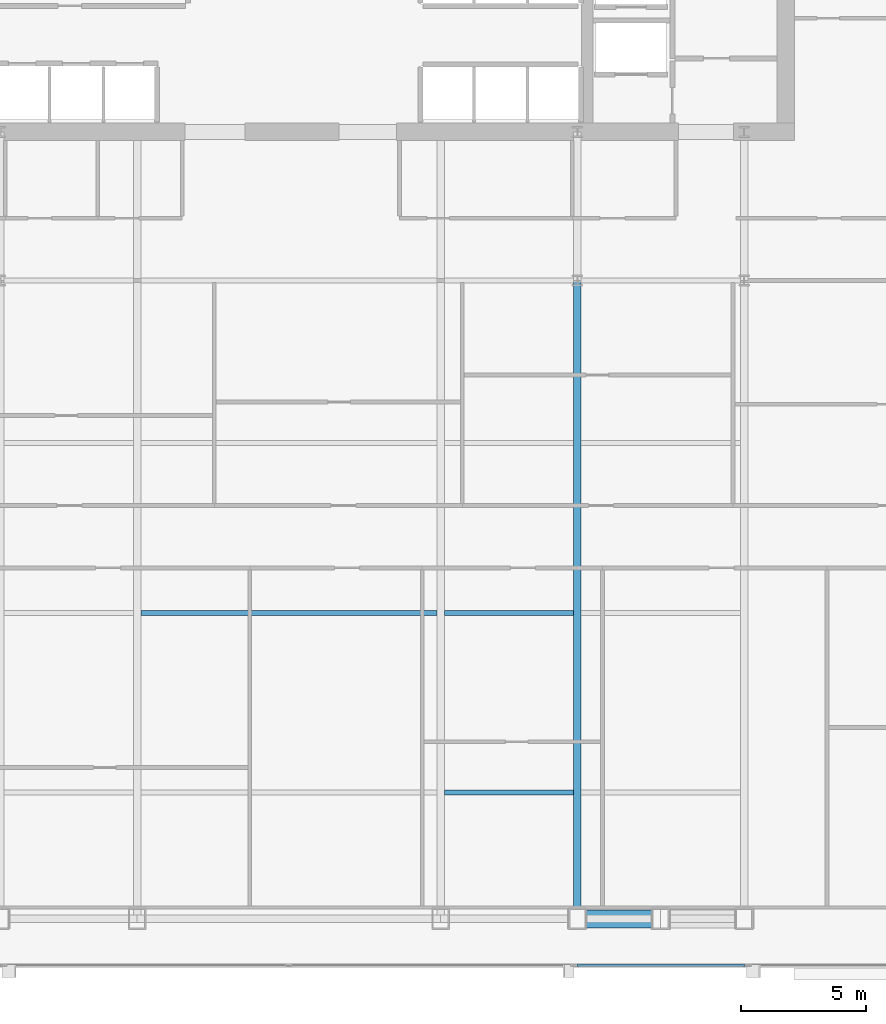
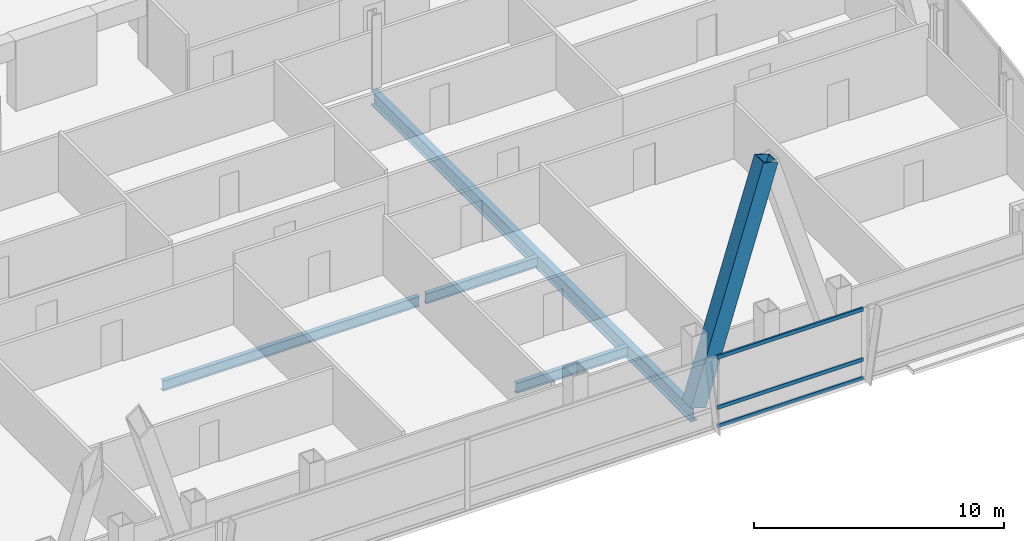
# One storey, part 13 of 30: 4 beams, 4 members, 1 element without a shape of its own.
"""IFC4 building model written with IfcOpenShell, lengths in metres."""

from ifc_helpers import new_model, si_unit, direction, frame, origin, origin_2d, place, context, subcontext, project, spatial, hollow_rectangle, i_section, extrude, material, material_profile, profile_set, type_object, element, aggregate, save


model = new_model("IFC4")

# Units and contexts
model_context = context("Model", 3, precision=1e-05, world=origin(), true_north=direction((0.0, 1.0)))
body_context = subcontext(model_context, "Body", "Model", "MODEL_VIEW")
ifc_project = project(units=[si_unit("LENGTHUNIT", "METRE"), si_unit("AREAUNIT", "SQUARE_METRE"), si_unit("VOLUMEUNIT", "CUBIC_METRE"), si_unit("PLANEANGLEUNIT", "RADIAN"), si_unit("MASSUNIT", "GRAM", prefix="KILO")], contexts=[model_context])

# Site, building, storey
site_placement = place(None, origin())
site = spatial("IfcSite", under=ifc_project, at=site_placement, CompositionType="ELEMENT")
building_placement = place(site_placement, origin())
building = spatial("IfcBuilding", under=site, at=building_placement, Name="Khoronbel Lancet Exchange", CompositionType="ELEMENT")
storey_placement = place(building_placement, frame((0.0, 0.0, 136.199951171875)))
storey = spatial("IfcBuildingStorey", under=building, at=storey_placement, Name="L33", CompositionType="ELEMENT", Elevation=136.199951171875)

# Beams
ifc_material_1 = material(Name="Steel S355", Category="steel")
ifc_material_profile_1 = material_profile(ifc_material_1, i_section(OverallWidth=0.300048828125, OverallDepth=0.699951171875, WebThickness=0.01708984375, FlangeThickness=0.031982421875, at=origin_2d()), Name="HEB 700")
ifc_profile_set_1 = profile_set([ifc_material_profile_1], Name="Steel S355")
beam_type_1 = type_object("IfcBeamType", Name="BM-BG3", PredefinedType="BEAM", material=ifc_profile_set_1)
beam_1_placement = place(storey_placement, frame((48.0, 10.14990234375, -0.510009765625), z_axis=(0.0, 1.0, 0.0), x_axis=(-1.0, 0.0, 0.0)))
element("IfcBeam", 1, at=beam_1_placement, inside=storey, type_object=beam_type_1, Name="Level L33 south primary girder GS5", PredefinedType="BEAM", context=body_context, shape_type="SweptSolid", body=[
    extrude(i_section(OverallWidth=0.300048828125, OverallDepth=0.699951171875, WebThickness=0.01708984375, FlangeThickness=0.031982421875, at=origin_2d()), origin(), (0.0, 0.0, 1.0), 25.550048828125),
])
ifc_material_profile_2 = material_profile(ifc_material_1, i_section(OverallWidth=0.199951171875, OverallDepth=0.5, WebThickness=0.01025390625, FlangeThickness=0.01611328125, at=origin_2d()), Name="IPE 500")
ifc_profile_set_2 = profile_set([ifc_material_profile_2], Name="Steel S355")
beam_type_2 = type_object("IfcBeamType", Name="BM-BJ3", PredefinedType="JOIST", material=ifc_profile_set_2)
beam_2_placement = place(storey_placement, frame((42.675048828125, 15.199951171875, -0.409912109375), z_axis=(1.0, 0.0, 0.0), x_axis=(0.0, 1.0, 0.0)))
element("IfcBeam", 2, at=beam_2_placement, inside=storey, type_object=beam_type_2, Name="Level L33 secondary composite joist J04", PredefinedType="JOIST", context=body_context, shape_type="SweptSolid", body=[
    extrude(i_section(OverallWidth=0.199951171875, OverallDepth=0.5, WebThickness=0.01025390625, FlangeThickness=0.01611328125, at=origin_2d()), origin(), (0.0, 0.0, 1.0), 5.175048828125),
])
beam_3_placement = place(storey_placement, frame((30.52490234375, 22.39990234375, -0.409912109375), z_axis=(1.0, 0.0, 0.0), x_axis=(0.0, 1.0, 0.0)))
element("IfcBeam", 3, at=beam_3_placement, inside=storey, type_object=beam_type_2, Name="Level L33 secondary composite joist J08", PredefinedType="JOIST", context=body_context, shape_type="SweptSolid", body=[
    extrude(i_section(OverallWidth=0.199951171875, OverallDepth=0.5, WebThickness=0.01025390625, FlangeThickness=0.01611328125, at=origin_2d()), origin(), (0.0, 0.0, 1.0), 11.85009765625),
])
beam_4_placement = place(storey_placement, frame((42.675048828125, 22.39990234375, -0.409912109375), z_axis=(1.0, 0.0, 0.0), x_axis=(0.0, 1.0, 0.0)))
element("IfcBeam", 4, at=beam_4_placement, inside=storey, type_object=beam_type_2, Name="Level L33 secondary composite joist J09", PredefinedType="JOIST", context=body_context, shape_type="SweptSolid", body=[
    extrude(i_section(OverallWidth=0.199951171875, OverallDepth=0.5, WebThickness=0.01025390625, FlangeThickness=0.01611328125, at=origin_2d()), origin(), (0.0, 0.0, 1.0), 5.175048828125),
])

# Curtain wall, members
ifc_material_2 = material(Name="Low-E Solar Control Insulating Glass", Category="glass")
curtain_wall_type = type_object("IfcCurtainWallType", Name="CW-3", PredefinedType="NOTDEFINED", material=ifc_material_2)
curtain_wall_placement = place(storey_placement, origin())
curtain_wall = element("IfcCurtainWall", 5, at=curtain_wall_placement, inside=storey, type_object=curtain_wall_type, Name="Unitised curtain wall CW-L33-SEB", PredefinedType="NOTDEFINED")
ifc_material_3 = material(Name="Bronze-Anodised Aluminium 6063-T6", Category="aluminium")
ifc_material_profile_3 = material_profile(ifc_material_3, hollow_rectangle(XDim=0.0849609375, YDim=0.179931640625, WallThickness=0.0048828125, at=origin_2d()), Name="ALU TRANSOM 85x180")
ifc_profile_set_3 = profile_set([ifc_material_profile_3], Name="Bronze-Anodised Aluminium 6063-T6")
member_type_1 = type_object("IfcMemberType", Name="MEM-CWT1", PredefinedType="USERDEFINED", material=ifc_profile_set_3)
member_1_placement = place(storey_placement, frame((47.985107421875, 8.2900390625, 0.04248046875), z_axis=(1.0, 0.0, 0.0), x_axis=(0.0, 1.0, 0.0)))
member_1 = element("IfcMember", 6, at=member_1_placement, type_object=member_type_1, Name="CW3 transom 1.1", ObjectType="TRANSOM", PredefinedType="USERDEFINED", context=body_context, shape_type="SweptSolid", body=[
    extrude(hollow_rectangle(XDim=0.0849609375, YDim=0.179931640625, WallThickness=0.0048828125, at=origin_2d()), origin(), (0.0, 0.0, 1.0), 6.72998046875),
])
member_2_placement = place(storey_placement, frame((47.985107421875, 8.2900390625, 0.949951171875), z_axis=(1.0, 0.0, 0.0), x_axis=(0.0, 1.0, 0.0)))
member_2 = element("IfcMember", 7, at=member_2_placement, type_object=member_type_1, Name="CW3 transom 1.2", ObjectType="TRANSOM", PredefinedType="USERDEFINED", context=body_context, shape_type="SweptSolid", body=[
    extrude(hollow_rectangle(XDim=0.0849609375, YDim=0.179931640625, WallThickness=0.0048828125, at=origin_2d()), origin(), (0.0, 0.0, 1.0), 6.72998046875),
])
member_3_placement = place(storey_placement, frame((47.985107421875, 8.2900390625, 3.3974609375), z_axis=(1.0, 0.0, 0.0), x_axis=(0.0, 1.0, 0.0)))
member_3 = element("IfcMember", 8, at=member_3_placement, type_object=member_type_1, Name="CW3 transom 1.3", ObjectType="TRANSOM", PredefinedType="USERDEFINED", context=body_context, shape_type="SweptSolid", body=[
    extrude(hollow_rectangle(XDim=0.0849609375, YDim=0.179931640625, WallThickness=0.0048828125, at=origin_2d()), origin(), (0.0, 0.0, 1.0), 6.72998046875),
])
aggregate(curtain_wall, [member_1, member_2, member_3])

# Member
ifc_material_4 = material(Name="Steel S460", Category="steel")
ifc_material_profile_4 = material_profile(ifc_material_4, hollow_rectangle(XDim=0.719970703125, YDim=0.719970703125, WallThickness=0.050048828125, at=origin_2d()), Name="BOX 720x720x50")
ifc_profile_set_4 = profile_set([ifc_material_profile_4], Name="Steel S460")
member_type_2 = type_object("IfcMemberType", Name="MEM-MB2", PredefinedType="BRACE", material=ifc_profile_set_4)
member_4_placement = place(storey_placement, frame((48.0, 10.14990234375, 0.0), z_axis=(0.295242108906, 0.0, 0.955422470496), x_axis=(0.0, 1.0, 0.0)))
element("IfcMember", 9, at=member_4_placement, inside=storey, type_object=member_type_2, Name="Perimeter lancet brace tier 11 S-E-L", PredefinedType="BRACE", context=body_context, shape_type="SweptSolid", body=[
    extrude(hollow_rectangle(XDim=0.719970703125, YDim=0.719970703125, WallThickness=0.050048828125, at=origin_2d()), origin(), (0.0, 0.0, 1.0), 11.303955078125),
])

save(model, "model.ifc")
